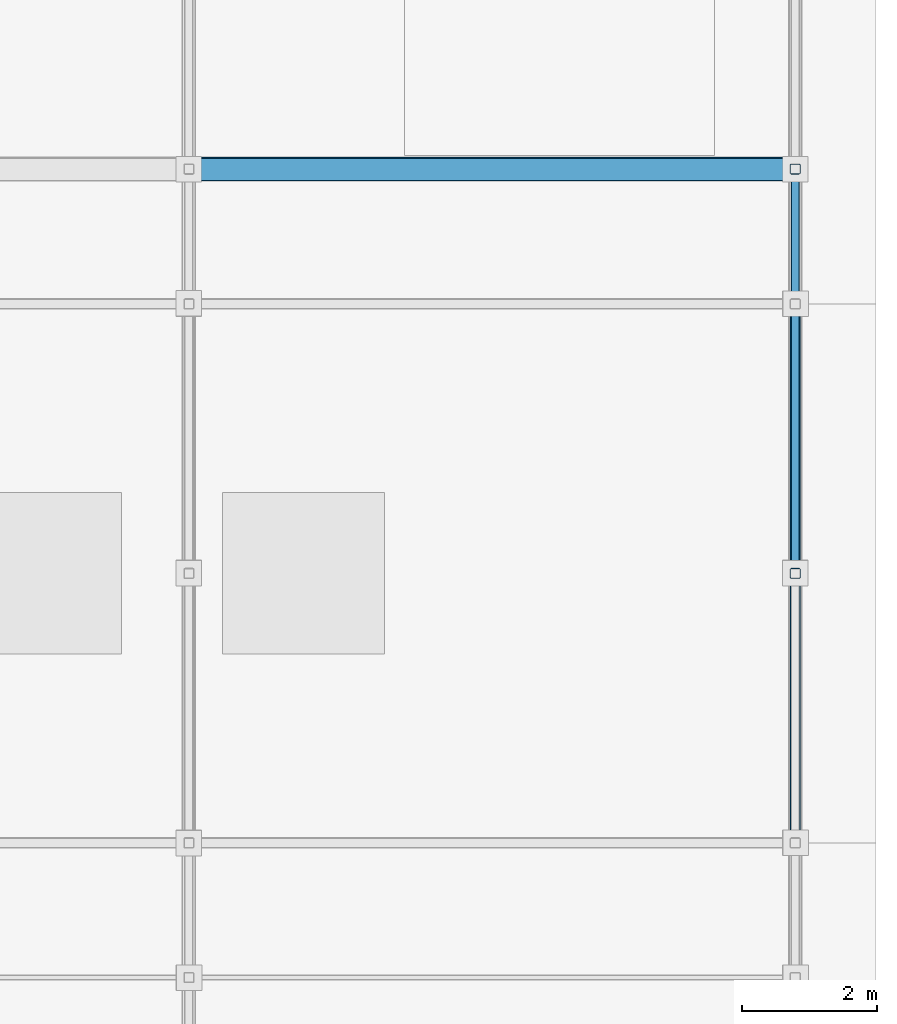
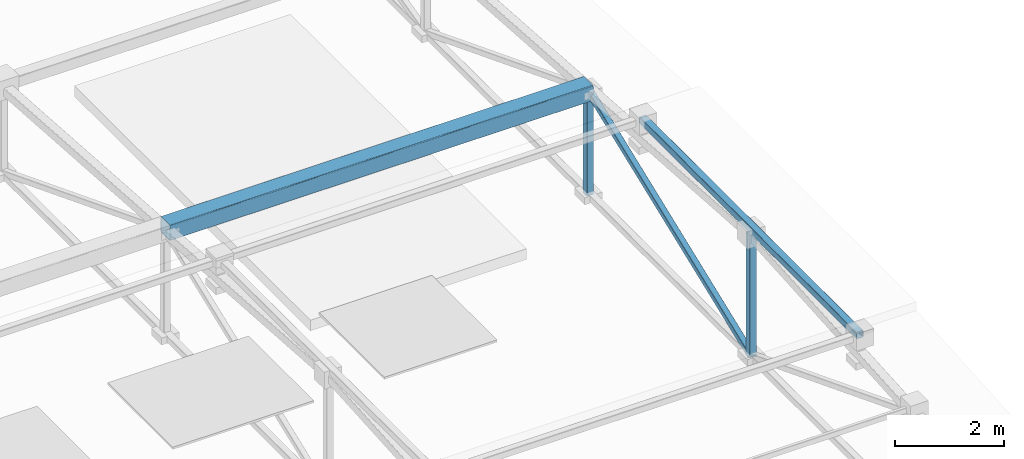
# One storey, part 32 of 85: 4 members, 1 beam.
"""IFC4 building model written with IfcOpenShell, lengths in metres."""

from ifc_helpers import new_model, si_unit, direction, frame, origin, origin_2d, place, context, subcontext, project, spatial, hollow_rectangle, extrude, material, material_profile, profile_set, type_object, element, save


model = new_model("IFC4")

# Units and contexts
model_context = context("Model", 3, precision=1e-05, world=origin(), true_north=direction((0.0, 1.0)))
body_context = subcontext(model_context, "Body", "Model", "MODEL_VIEW")
ifc_project = project(units=[si_unit("LENGTHUNIT", "METRE"), si_unit("AREAUNIT", "SQUARE_METRE"), si_unit("VOLUMEUNIT", "CUBIC_METRE"), si_unit("PLANEANGLEUNIT", "RADIAN"), si_unit("MASSUNIT", "GRAM", prefix="KILO"), si_unit("THERMODYNAMICTEMPERATUREUNIT", "KELVIN"), si_unit("POWERUNIT", "WATT")], contexts=[model_context])

# Site, building, storey
site_placement = place(None, origin())
site = spatial("IfcSite", under=ifc_project, at=site_placement, CompositionType="ELEMENT")
building_placement = place(site_placement, origin())
building = spatial("IfcBuilding", under=site, at=building_placement, Name="Zelmaris Science Centre", CompositionType="ELEMENT")
storey_placement = place(building_placement, frame((0.0, 0.0, 20.39990234375)))
storey = spatial("IfcBuildingStorey", under=building, at=storey_placement, Name="L04", CompositionType="ELEMENT", Elevation=20.39990234375)

# Beam
ifc_material = material(Name="Steel ASTM A500 Grade C", Category="steel")
ifc_material_profile_1 = material_profile(ifc_material, hollow_rectangle(XDim=0.15234375, YDim=0.15234375, WallThickness=0.0087890625, InnerFilletRadius=0.0087890625, OuterFilletRadius=0.017822265625, at=origin_2d()), Name="HSS152X152X10")
ifc_profile_set_1 = profile_set([ifc_material_profile_1], Name="Steel ASTM A500 Grade C")
beam_type = type_object("IfcBeamType", Name="Beam G-21 HSS152X152X10", PredefinedType="BEAM", material=ifc_profile_set_1)
beam_placement = place(storey_placement, frame((135.0, 28.0, 3.830078125), z_axis=(0.0, 1.0, 0.0), x_axis=(-1.0, 0.0, 0.0)))
element("IfcBeam", 1, at=beam_placement, inside=storey, type_object=beam_type, Name="RF-V4 Lantern transverse header 4", PredefinedType="BEAM", context=body_context, shape_type="SweptSolid", body=[
    extrude(hollow_rectangle(XDim=0.15234375, YDim=0.15234375, WallThickness=0.0087890625, InnerFilletRadius=0.0087890625, OuterFilletRadius=0.017822265625, at=origin_2d()), origin(), (0.0, 0.0, 1.0), 8.0),
])

# Members
ifc_material_profile_2 = material_profile(ifc_material, hollow_rectangle(XDim=0.355712890625, YDim=0.355712890625, WallThickness=0.0146484375, InnerFilletRadius=0.0146484375, OuterFilletRadius=0.029296875, at=origin_2d()), Name="HSS356X356X16")
ifc_profile_set_2 = profile_set([ifc_material_profile_2], Name="Steel ASTM A500 Grade C")
member_type_1 = type_object("IfcMemberType", Name="Roof Purlin PR-08 HSS356X356X16", PredefinedType="PURLIN", material=ifc_profile_set_2)
member_1_placement = place(storey_placement, frame((126.0, 38.0, 3.30419921875), z_axis=(1.0, 0.0, 0.0), x_axis=(0.0, 1.0, 0.0)))
element("IfcMember", 2, at=member_1_placement, inside=storey, type_object=member_type_1, Name="RF-V4 Roof purlin 21", PredefinedType="PURLIN", context=body_context, shape_type="SweptSolid", body=[
    extrude(hollow_rectangle(XDim=0.355712890625, YDim=0.355712890625, WallThickness=0.0146484375, InnerFilletRadius=0.0146484375, OuterFilletRadius=0.029296875, at=origin_2d()), origin(), (0.0, 0.0, 1.0), 9.0),
])
ifc_material_profile_3 = material_profile(ifc_material, hollow_rectangle(XDim=0.15234375, YDim=0.15234375, WallThickness=0.0087890625, InnerFilletRadius=0.0087890625, OuterFilletRadius=0.017822265625, at=origin_2d()), Name="HSS152X152X10")
ifc_profile_set_3 = profile_set([ifc_material_profile_3], Name="Steel ASTM A500 Grade C")
member_type_2 = type_object("IfcMemberType", Name="Structural Brace BR-03 HSS152X152X10", PredefinedType="BRACE", material=ifc_profile_set_3)
member_2_placement = place(storey_placement, frame((135.0, 32.0, 0.947998046875), z_axis=(0.0, 0.0, 1.0), x_axis=(1.0, 0.0, 0.0)))
element("IfcMember", 3, at=member_2_placement, inside=storey, type_object=member_type_2, Name="RF-V4 Roof truss 4 vertical web 4", PredefinedType="BRACE", context=body_context, shape_type="SweptSolid", body=[
    extrude(hollow_rectangle(XDim=0.15234375, YDim=0.15234375, WallThickness=0.0087890625, InnerFilletRadius=0.0087890625, OuterFilletRadius=0.017822265625, at=origin_2d()), origin(), (0.0, 0.0, 1.0), 2.75),
])
member_3_placement = place(storey_placement, frame((135.0, 38.0, 0.947998046875), z_axis=(0.0, 0.0, 1.0), x_axis=(1.0, 0.0, 0.0)))
element("IfcMember", 4, at=member_3_placement, inside=storey, type_object=member_type_2, Name="RF-V4 Roof truss 4 vertical web 5", PredefinedType="BRACE", context=body_context, shape_type="SweptSolid", body=[
    extrude(hollow_rectangle(XDim=0.15234375, YDim=0.15234375, WallThickness=0.0087890625, InnerFilletRadius=0.0087890625, OuterFilletRadius=0.017822265625, at=origin_2d()), origin(), (0.0, 0.0, 1.0), 2.33740234375),
])
ifc_material_profile_4 = material_profile(ifc_material, hollow_rectangle(XDim=0.126953125, YDim=0.126953125, WallThickness=0.00732421875, InnerFilletRadius=0.00732421875, OuterFilletRadius=0.014892578125, at=origin_2d()), Name="HSS127X127X8")
ifc_profile_set_4 = profile_set([ifc_material_profile_4], Name="Steel ASTM A500 Grade C")
member_type_3 = type_object("IfcMemberType", Name="Structural Brace BR-04 HSS127X127X8", PredefinedType="BRACE", material=ifc_profile_set_4)
member_4_placement = place(storey_placement, frame((135.0, 32.0, 0.947998046875), z_axis=(0.0, 0.93179104927, 0.362995097075), x_axis=(-1.0, 0.0, 0.0)))
element("IfcMember", 5, at=member_4_placement, inside=storey, type_object=member_type_3, Name="RF-V4 Roof truss 4 web diagonal 5", PredefinedType="BRACE", context=body_context, shape_type="SweptSolid", body=[
    extrude(hollow_rectangle(XDim=0.126953125, YDim=0.126953125, WallThickness=0.00732421875, InnerFilletRadius=0.00732421875, OuterFilletRadius=0.014892578125, at=origin_2d()), origin(), (0.0, 0.0, 1.0), 6.439208984375),
])

save(model, "model.ifc")
